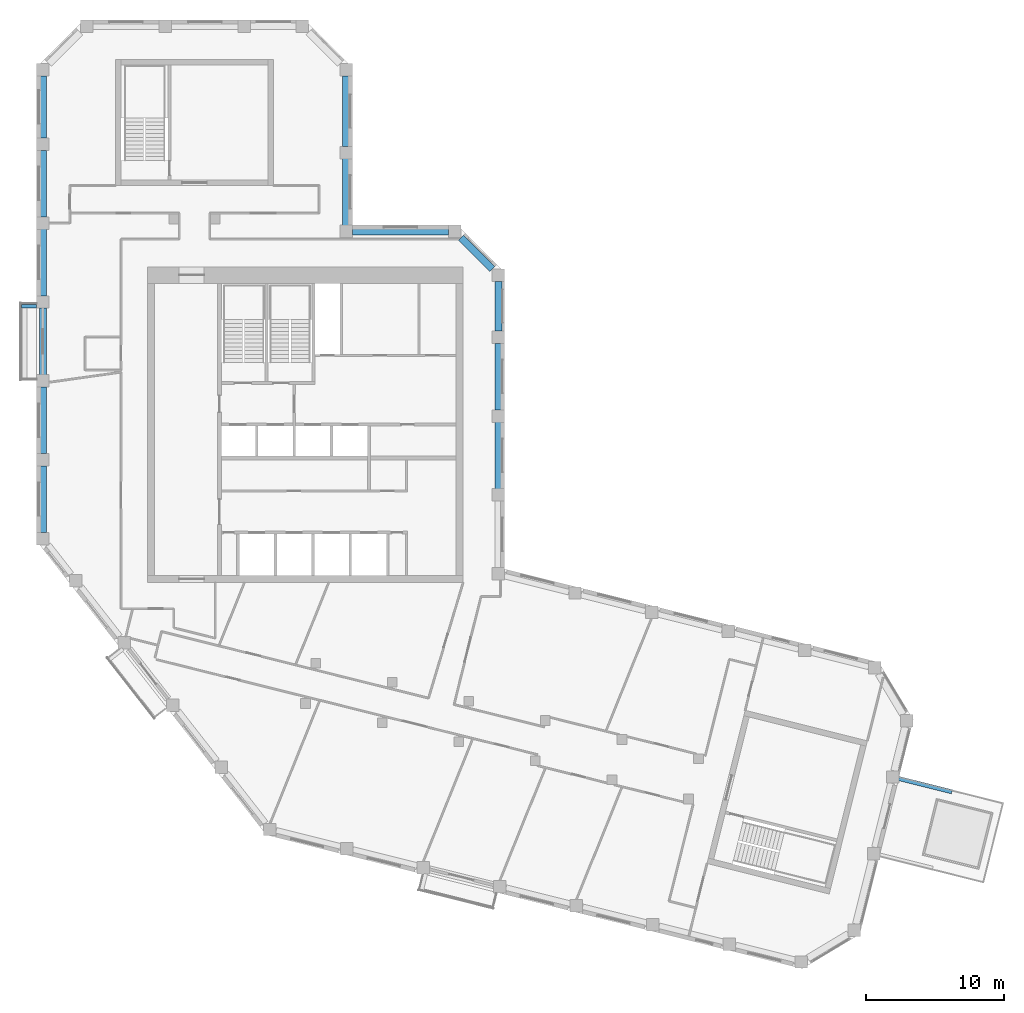
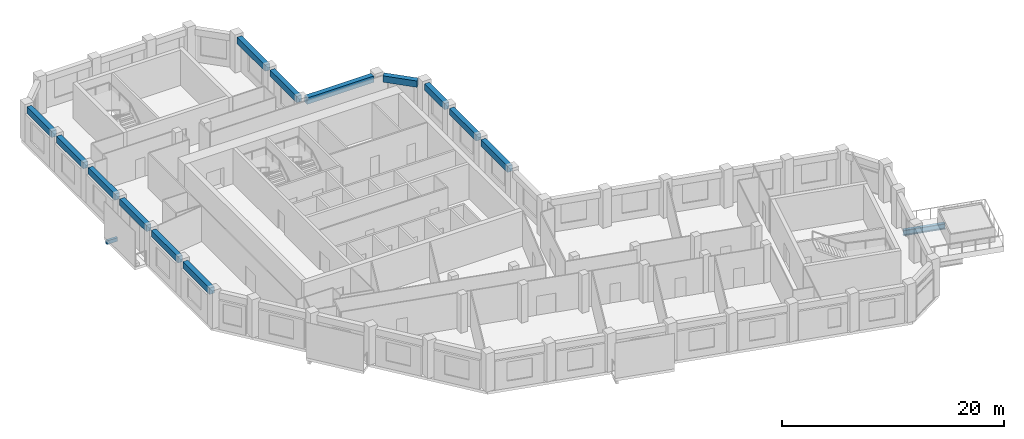
# One storey, part 4 of 13: 15 beams.
"""IFC4 building model written with IfcOpenShell, lengths in metres."""

from ifc_helpers import new_model, si_unit, direction, frame, origin, origin_2d, place, context, subcontext, project, spatial, rectangle, i_section, extrude, material, material_profile, profile_set, type_object, element, save


model = new_model("IFC4")

# Units and contexts
model_context = context("Model", 3, precision=1e-05, world=origin(), true_north=direction((0.0, 1.0)))
body_context = subcontext(model_context, "Body", "Model", "MODEL_VIEW")
ifc_project = project(units=[si_unit("LENGTHUNIT", "METRE"), si_unit("AREAUNIT", "SQUARE_METRE"), si_unit("VOLUMEUNIT", "CUBIC_METRE"), si_unit("PLANEANGLEUNIT", "RADIAN"), si_unit("MASSUNIT", "GRAM", prefix="KILO")], contexts=[model_context])

# Site, building, storey
site_placement = place(None, origin())
site = spatial("IfcSite", under=ifc_project, at=site_placement, CompositionType="ELEMENT")
building_placement = place(site_placement, origin())
building = spatial("IfcBuilding", under=site, at=building_placement, Name="Meshkara Civic Tower", CompositionType="ELEMENT")
storey_placement = place(building_placement, frame((0.0, 0.0, 383.39990234375)))
storey = spatial("IfcBuildingStorey", under=building, at=storey_placement, Name="L88", CompositionType="ELEMENT", Elevation=383.39990234375)

# Beams
ifc_material_1 = material(Name="Concrete C50", Category="concrete")
ifc_material_profile_1 = material_profile(ifc_material_1, rectangle(XDim=0.25, YDim=0.39990234375, at=origin_2d()))
ifc_profile_set_1 = profile_set([ifc_material_profile_1], Name="Concrete C50")
beam_type_1 = type_object("IfcBeamType", Name="Balcony bracket beam RC 250x400 C50", PredefinedType="BEAM", material=ifc_profile_set_1)
beam_1_placement = place(storey_placement, frame((0.0048828125, 34.054931640625, -0.5), z_axis=(-1.0, 0.0, 0.0), x_axis=(0.0, -1.0, 0.0)))
element("IfcBeam", 1, at=beam_1_placement, inside=storey, type_object=beam_type_1, Name="Balcony bracket beam", PredefinedType="BEAM", context=body_context, shape_type="SweptSolid", body=[
    extrude(rectangle(XDim=0.25, YDim=0.39990234375, at=origin_2d()), origin(), (0.0, 0.0, 1.0), 1.10498046875),
])
ifc_material_2 = material(Name="Steel S355", Category="steel")
ifc_material_profile_2 = material_profile(ifc_material_2, i_section(OverallWidth=0.304931640625, OverallDepth=0.6201171875, WebThickness=0.02099609375, FlangeThickness=0.0400390625, FilletRadius=0.027099609375, at=origin_2d()))
ifc_profile_set_2 = profile_set([ifc_material_profile_2], Name="Steel S355")
beam_type_2 = type_object("IfcBeamType", Name="Sky pool cantilever girder HEM 600 S355", PredefinedType="BEAM", material=ifc_profile_set_2)
beam_2_placement = place(storey_placement, frame((62.263916015625, -0.05908203125, -0.909912109375), z_axis=(0.970346167303, -0.241719497765, 0.0), x_axis=(0.241719497765, 0.970346167303, 0.0)))
element("IfcBeam", 2, at=beam_2_placement, inside=storey, type_object=beam_type_2, Name="Sky pool cantilever girder", PredefinedType="BEAM", context=body_context, shape_type="SweptSolid", body=[
    extrude(i_section(OverallWidth=0.304931640625, OverallDepth=0.6201171875, WebThickness=0.02099609375, FlangeThickness=0.0400390625, FilletRadius=0.027099609375, at=origin_2d()), origin(), (0.0, 0.0, 1.0), 3.942138671875),
])
ifc_material_3 = material(Name="Concrete C50", Category="concrete")
ifc_material_profile_3 = material_profile(ifc_material_3, rectangle(XDim=0.5, YDim=0.699951171875, at=origin_2d()))
ifc_profile_set_3 = profile_set([ifc_material_profile_3], Name="Concrete C50")
beam_type_3 = type_object("IfcBeamType", Name="Spandrel beam RC 500x700 C50", PredefinedType="BEAM", material=ifc_profile_set_3)
for number, where, z_axis, x_axis, name in (
    (3, (33.35009765625, 20.864013671875, 3.550048828125), (0.0, 1.0, 0.0), (-1.0, 0.0, 0.0), "Spandrel beam HE01-HE02"),
    (4, (33.35009765625, 26.56396484375, 3.550048828125), (0.0, 1.0, 0.0), (-1.0, 0.0, 0.0), "Spandrel beam HE02-HE03"),
):
    element("IfcBeam", number, at=place(storey_placement, frame(where, z_axis=z_axis, x_axis=x_axis)), inside=storey, type_object=beam_type_3, Name=name, PredefinedType="BEAM", context=body_context, shape_type="SweptSolid", body=[
        extrude(rectangle(XDim=0.5, YDim=0.699951171875, at=origin_2d()), origin(), (0.0, 0.0, 1.0), 4.81005859375),
    ])
beam_3_placement = place(storey_placement, frame((33.35009765625, 32.263916015625, 3.550048828125), z_axis=(0.0, 1.0, 0.0), x_axis=(-1.0, 0.0, 0.0)))
element("IfcBeam", 5, at=beam_3_placement, inside=storey, type_object=beam_type_3, Name="Spandrel beam HE03-HEE", PredefinedType="BEAM", context=body_context, shape_type="SweptSolid", body=[
    extrude(rectangle(XDim=0.5, YDim=0.699951171875, at=origin_2d()), origin(), (0.0, 0.0, 1.0), 3.585205078125),
])
beam_4_placement = place(storey_placement, frame((32.903564453125, 36.740478515625, 3.550048828125), z_axis=(-0.707144921739, 0.707068638576, 0.0), x_axis=(-0.707068638576, -0.707144921739, 0.0)))
element("IfcBeam", 6, at=beam_4_placement, inside=storey, type_object=beam_type_3, Name="Spandrel beam HCeE-HEE", PredefinedType="BEAM", context=body_context, shape_type="SweptSolid", body=[
    extrude(rectangle(XDim=0.5, YDim=0.699951171875, at=origin_2d()), origin(), (0.0, 0.0, 1.0), 3.200439453125),
])
beam_5_placement = place(storey_placement, frame((29.7490234375, 39.449951171875, 3.550048828125), z_axis=(-1.0, 0.0, 0.0), x_axis=(0.0, -1.0, 0.0)))
element("IfcBeam", 7, at=beam_5_placement, inside=storey, type_object=beam_type_3, Name="Spandrel beam HCeE-HN00", PredefinedType="BEAM", context=body_context, shape_type="SweptSolid", body=[
    extrude(rectangle(XDim=0.5, YDim=0.699951171875, at=origin_2d()), origin(), (0.0, 0.0, 1.0), 6.9541015625),
])
beam_6_placement = place(storey_placement, frame((22.35009765625, 39.89501953125, 3.550048828125), z_axis=(0.0, 1.0, 0.0), x_axis=(-1.0, 0.0, 0.0)))
element("IfcBeam", 8, at=beam_6_placement, inside=storey, type_object=beam_type_3, Name="Spandrel beam AE01-HN00", PredefinedType="BEAM", context=body_context, shape_type="SweptSolid", body=[
    extrude(rectangle(XDim=0.5, YDim=0.699951171875, at=origin_2d()), origin(), (0.0, 0.0, 1.0), 4.81005859375),
])
beam_7_placement = place(storey_placement, frame((22.35009765625, 45.594970703125, 3.550048828125), z_axis=(0.0, 1.0, 0.0), x_axis=(-1.0, 0.0, 0.0)))
element("IfcBeam", 9, at=beam_7_placement, inside=storey, type_object=beam_type_3, Name="Spandrel beam AE01-AEEP5", PredefinedType="BEAM", context=body_context, shape_type="SweptSolid", body=[
    extrude(rectangle(XDim=0.5, YDim=0.699951171875, at=origin_2d()), origin(), (0.0, 0.0, 1.0), 5.073974609375),
])
beam_8_placement = place(storey_placement, frame((0.449951171875, 50.6689453125, 3.550048828125), z_axis=(0.0, -1.0, 0.0), x_axis=(1.0, 0.0, 0.0)))
element("IfcBeam", 10, at=beam_8_placement, inside=storey, type_object=beam_type_3, Name="Spandrel beam ATo00-P5-AW05", PredefinedType="BEAM", context=body_context, shape_type="SweptSolid", body=[
    extrude(rectangle(XDim=0.5, YDim=0.699951171875, at=origin_2d()), origin(), (0.0, 0.0, 1.0), 4.468994140625),
])
for number, where, z_axis, x_axis, name in (
    (11, (0.449951171875, 45.31005859375, 3.550048828125), (0.0, -1.0, 0.0), (1.0, 0.0, 0.0), "Spandrel beam AW04-AW05"),
    (12, (0.449951171875, 39.610107421875, 3.550048828125), (0.0, -1.0, 0.0), (1.0, 0.0, 0.0), "Spandrel beam AW03-AW04"),
):
    element("IfcBeam", number, at=place(storey_placement, frame(where, z_axis=z_axis, x_axis=x_axis)), inside=storey, type_object=beam_type_3, Name=name, PredefinedType="BEAM", context=body_context, shape_type="SweptSolid", body=[
        extrude(rectangle(XDim=0.5, YDim=0.699951171875, at=origin_2d()), origin(), (0.0, 0.0, 1.0), 4.81005859375),
    ])
beam_9_placement = place(storey_placement, frame((0.449951171875, 33.909912109375, 3.550048828125), z_axis=(0.0, -1.0, 0.0), x_axis=(1.0, 0.0, 0.0)))
element("IfcBeam", 13, at=beam_9_placement, inside=storey, type_object=beam_type_3, Name="Spandrel beam AW02-AW03", PredefinedType="BEAM", context=body_context, shape_type="SweptSolid", body=[
    extrude(rectangle(XDim=0.5, YDim=0.699951171875, at=origin_2d()), origin(), (0.0, 0.0, 1.0), 4.809814453125),
])
for number, where, z_axis, x_axis, name in (
    (14, (0.449951171875, 28.2099609375, 3.550048828125), (0.0, -1.0, 0.0), (1.0, 0.0, 0.0), "Spandrel beam AW01-AW02"),
    (15, (0.449951171875, 22.510009765625, 3.550048828125), (0.0, -1.0, 0.0), (1.0, 0.0, 0.0), "Spandrel beam AW00-AW01"),
):
    element("IfcBeam", number, at=place(storey_placement, frame(where, z_axis=z_axis, x_axis=x_axis)), inside=storey, type_object=beam_type_3, Name=name, PredefinedType="BEAM", context=body_context, shape_type="SweptSolid", body=[
        extrude(rectangle(XDim=0.5, YDim=0.699951171875, at=origin_2d()), origin(), (0.0, 0.0, 1.0), 4.81005859375),
    ])

save(model, "model.ifc")
